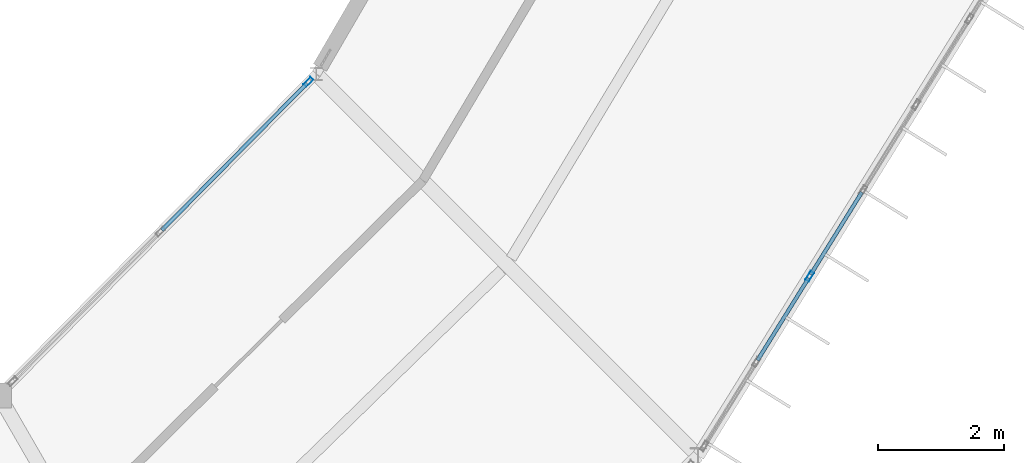
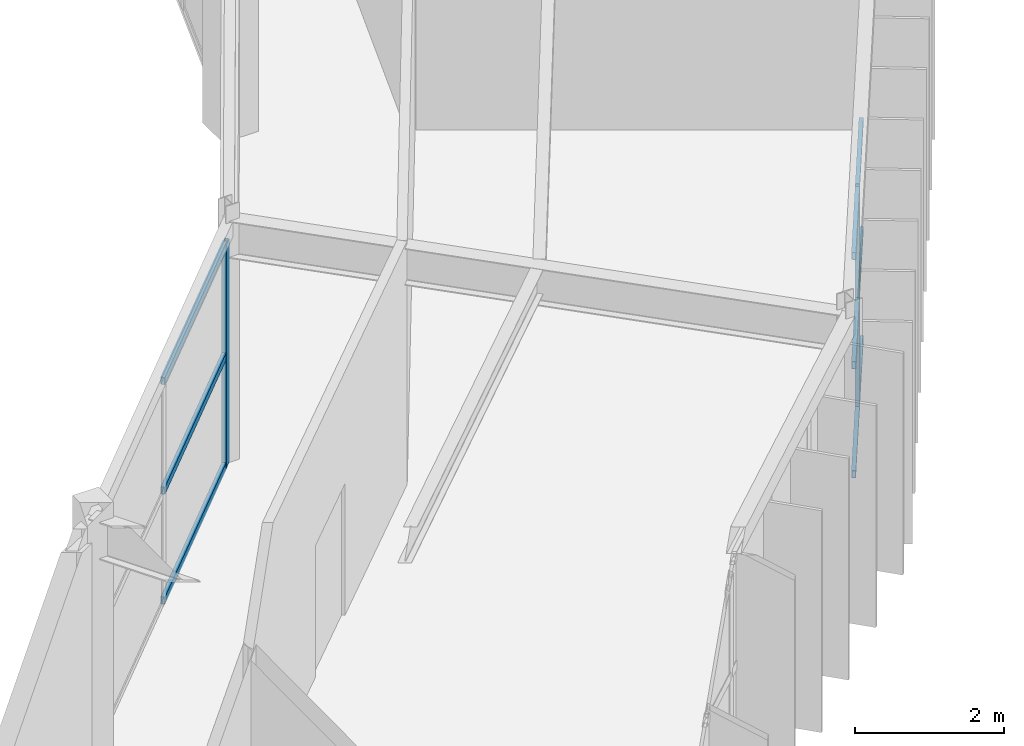
# One storey, part 61 of 157: 11 members, 2 elements without a shape of their own.
"""IFC4 building model written with IfcOpenShell, lengths in metres."""

from ifc_helpers import new_model, si_unit, direction, frame, origin, origin_2d, place, context, subcontext, project, spatial, hollow_rectangle, extrude, material, material_profile, profile_set, type_object, element, aggregate, save


model = new_model("IFC4")

# Units and contexts
model_context = context("Model", 3, precision=1e-05, world=origin(), true_north=direction((0.0, 1.0)))
body_context = subcontext(model_context, "Body", "Model", "MODEL_VIEW")
ifc_project = project(units=[si_unit("LENGTHUNIT", "METRE"), si_unit("AREAUNIT", "SQUARE_METRE"), si_unit("VOLUMEUNIT", "CUBIC_METRE"), si_unit("PLANEANGLEUNIT", "RADIAN"), si_unit("MASSUNIT", "GRAM", prefix="KILO")], contexts=[model_context])

# Site, building, storey
site_placement = place(None, origin())
site = spatial("IfcSite", under=ifc_project, at=site_placement, CompositionType="ELEMENT")
building_placement = place(site_placement, origin())
building = spatial("IfcBuilding", under=site, at=building_placement, Name="Karori Crest Natural Sciences Institute", CompositionType="ELEMENT")
storey_placement = place(building_placement, frame((0.0, 0.0, 13.300048828125)))
storey = spatial("IfcBuildingStorey", under=building, at=storey_placement, Name="L03", CompositionType="ELEMENT", Elevation=13.300048828125)

# Curtain wall, member
ifc_material = material(Name="Anodised architectural aluminium 6063-T6", Category="aluminium")
curtain_wall_type_1 = type_object("IfcCurtainWallType", Name="CWT-11", PredefinedType="NOTDEFINED", material=ifc_material)
curtain_wall_1_placement = place(storey_placement, origin())
curtain_wall_1 = element("IfcCurtainWall", 1, at=curtain_wall_1_placement, inside=storey, type_object=curtain_wall_type_1, Name="Curtain wall CW-0131", PredefinedType="NOTDEFINED")
ifc_material_profile_1 = material_profile(ifc_material, hollow_rectangle(XDim=0.06494140625, YDim=0.159912109375, WallThickness=0.00390625, at=origin_2d()), Name="CWM160x65x4")
ifc_profile_set_1 = profile_set([ifc_material_profile_1], Name="Anodised architectural aluminium 6063-T6")
member_type_1 = type_object("IfcMemberType", Name="CWM-01", PredefinedType="MULLION", material=ifc_profile_set_1)
member_1_placement = place(storey_placement, frame((83.529541015625, 27.005615234375, 0.0), z_axis=(0.0, 0.0, 1.0), x_axis=(-0.711524963942, 0.702660818381, 0.0)))
member_1 = element("IfcMember", 2, at=member_1_placement, type_object=member_type_1, Name="CW-0131 mullion 3", PredefinedType="MULLION", context=body_context, shape_type="SweptSolid", body=[
    extrude(hollow_rectangle(XDim=0.06494140625, YDim=0.159912109375, WallThickness=0.00390625, at=origin_2d()), origin(), (0.0, 0.0, 1.0), 3.64990234375),
])

curtain_wall_type_2 = type_object("IfcCurtainWallType", Name="CWT-02", PredefinedType="NOTDEFINED", material=ifc_material)
curtain_wall_2_placement = place(storey_placement, origin())
curtain_wall_2 = element("IfcCurtainWall", 3, at=curtain_wall_2_placement, inside=storey, type_object=curtain_wall_type_2, Name="Curtain wall CW-0132", PredefinedType="NOTDEFINED")
member_2_placement = place(storey_placement, frame((91.509765625, 23.910400390625, 0.0), z_axis=(0.0, 0.0, 1.0), x_axis=(0.849664350398, -0.527323896352, 0.0)))
member_2 = element("IfcMember", 4, at=member_2_placement, type_object=member_type_1, Name="CW-0132 mullion 5", PredefinedType="MULLION", context=body_context, shape_type="SweptSolid", body=[
    extrude(hollow_rectangle(XDim=0.06494140625, YDim=0.159912109375, WallThickness=0.00390625, at=origin_2d()), origin(), (0.0, 0.0, 1.0), 3.625),
])

# Member
ifc_material_profile_2 = material_profile(ifc_material, hollow_rectangle(XDim=0.06005859375, YDim=0.1201171875, WallThickness=0.00390625, at=origin_2d()), Name="CWT120x60x4")
ifc_profile_set_2 = profile_set([ifc_material_profile_2], Name="Anodised architectural aluminium 6063-T6")
member_type_2 = type_object("IfcMemberType", Name="CWT-TR1", PredefinedType="USERDEFINED", material=ifc_profile_set_2)
member_3_placement = place(storey_placement, frame((81.197021484375, 24.643798828125, 0.030029296875), z_axis=(0.702636271003, 0.711549204673, 0.0), x_axis=(-0.711549204673, 0.702636271003, 0.0)))
member_3 = element("IfcMember", 5, at=member_3_placement, type_object=member_type_2, Name="CW-0131 transom 2.1", ObjectType="TRANSOM", PredefinedType="USERDEFINED", context=body_context, shape_type="SweptSolid", body=[
    extrude(hollow_rectangle(XDim=0.06005859375, YDim=0.1201171875, WallThickness=0.00390625, at=origin_2d()), origin(), (0.0, 0.0, 1.0), 3.287109375),
])

member_4_placement = place(storey_placement, frame((81.197021484375, 24.643798828125, 1.824951171875), z_axis=(0.702636271003, 0.711549204673, 0.0), x_axis=(-0.711549204673, 0.702636271003, 0.0)))
member_4 = element("IfcMember", 6, at=member_4_placement, type_object=member_type_2, Name="CW-0131 transom 2.2", ObjectType="TRANSOM", PredefinedType="USERDEFINED", context=body_context, shape_type="SweptSolid", body=[
    extrude(hollow_rectangle(XDim=0.06005859375, YDim=0.1201171875, WallThickness=0.00390625, at=origin_2d()), origin(), (0.0, 0.0, 1.0), 3.287109375),
])

member_5_placement = place(storey_placement, frame((81.197021484375, 24.643798828125, 3.619873046875), z_axis=(0.702636271003, 0.711549204673, 0.0), x_axis=(-0.711549204673, 0.702636271003, 0.0)))
member_5 = element("IfcMember", 7, at=member_5_placement, type_object=member_type_2, Name="CW-0131 transom 2.3", ObjectType="TRANSOM", PredefinedType="USERDEFINED", context=body_context, shape_type="SweptSolid", body=[
    extrude(hollow_rectangle(XDim=0.06005859375, YDim=0.1201171875, WallThickness=0.00390625, at=origin_2d()), origin(), (0.0, 0.0, 1.0), 3.287109375),
])

aggregate(curtain_wall_1, [member_1, member_3, member_4, member_5])

member_6_placement = place(storey_placement, frame((92.34033203125, 25.248779296875, 0.030029296875), z_axis=(-0.527307708925, -0.849674396524, 0.0), x_axis=(0.849674396524, -0.527307708925, 0.0)))
member_6 = element("IfcMember", 8, at=member_6_placement, type_object=member_type_2, Name="CW-0132 transom 4.1", ObjectType="TRANSOM", PredefinedType="USERDEFINED", context=body_context, shape_type="SweptSolid", body=[
    extrude(hollow_rectangle(XDim=0.06005859375, YDim=0.1201171875, WallThickness=0.00390625, at=origin_2d()), origin(), (0.0, 0.0, 1.0), 1.542724609375),
])

member_7_placement = place(storey_placement, frame((92.34033203125, 25.248779296875, 1.8125), z_axis=(-0.527307708925, -0.849674396524, 0.0), x_axis=(0.849674396524, -0.527307708925, 0.0)))
member_7 = element("IfcMember", 9, at=member_7_placement, type_object=member_type_2, Name="CW-0132 transom 4.2", ObjectType="TRANSOM", PredefinedType="USERDEFINED", context=body_context, shape_type="SweptSolid", body=[
    extrude(hollow_rectangle(XDim=0.06005859375, YDim=0.1201171875, WallThickness=0.00390625, at=origin_2d()), origin(), (0.0, 0.0, 1.0), 1.542724609375),
])

member_8_placement = place(storey_placement, frame((92.34033203125, 25.248779296875, 3.594970703125), z_axis=(-0.527307708925, -0.849674396524, 0.0), x_axis=(0.849674396524, -0.527307708925, 0.0)))
member_8 = element("IfcMember", 10, at=member_8_placement, type_object=member_type_2, Name="CW-0132 transom 4.3", ObjectType="TRANSOM", PredefinedType="USERDEFINED", context=body_context, shape_type="SweptSolid", body=[
    extrude(hollow_rectangle(XDim=0.06005859375, YDim=0.1201171875, WallThickness=0.00390625, at=origin_2d()), origin(), (0.0, 0.0, 1.0), 1.542724609375),
])

member_9_placement = place(storey_placement, frame((91.49267578125, 23.8828125, 0.030029296875), z_axis=(-0.527421946724, -0.849603489937, 0.0), x_axis=(0.849603489937, -0.527421946724, 0.0)))
member_9 = element("IfcMember", 11, at=member_9_placement, type_object=member_type_2, Name="CW-0132 transom 5.1", ObjectType="TRANSOM", PredefinedType="USERDEFINED", context=body_context, shape_type="SweptSolid", body=[
    extrude(hollow_rectangle(XDim=0.06005859375, YDim=0.1201171875, WallThickness=0.00390625, at=origin_2d()), origin(), (0.0, 0.0, 1.0), 1.542724609375),
])

member_10_placement = place(storey_placement, frame((91.49267578125, 23.8828125, 1.8125), z_axis=(-0.527421946724, -0.849603489937, 0.0), x_axis=(0.849603489937, -0.527421946724, 0.0)))
member_10 = element("IfcMember", 12, at=member_10_placement, type_object=member_type_2, Name="CW-0132 transom 5.2", ObjectType="TRANSOM", PredefinedType="USERDEFINED", context=body_context, shape_type="SweptSolid", body=[
    extrude(hollow_rectangle(XDim=0.06005859375, YDim=0.1201171875, WallThickness=0.00390625, at=origin_2d()), origin(), (0.0, 0.0, 1.0), 1.542724609375),
])

member_11_placement = place(storey_placement, frame((91.49267578125, 23.8828125, 3.594970703125), z_axis=(-0.527421946724, -0.849603489937, 0.0), x_axis=(0.849603489937, -0.527421946724, 0.0)))
member_11 = element("IfcMember", 13, at=member_11_placement, type_object=member_type_2, Name="CW-0132 transom 5.3", ObjectType="TRANSOM", PredefinedType="USERDEFINED", context=body_context, shape_type="SweptSolid", body=[
    extrude(hollow_rectangle(XDim=0.06005859375, YDim=0.1201171875, WallThickness=0.00390625, at=origin_2d()), origin(), (0.0, 0.0, 1.0), 1.542724609375),
])

aggregate(curtain_wall_2, [member_2, member_6, member_7, member_8, member_9, member_10, member_11])

save(model, "model.ifc")
